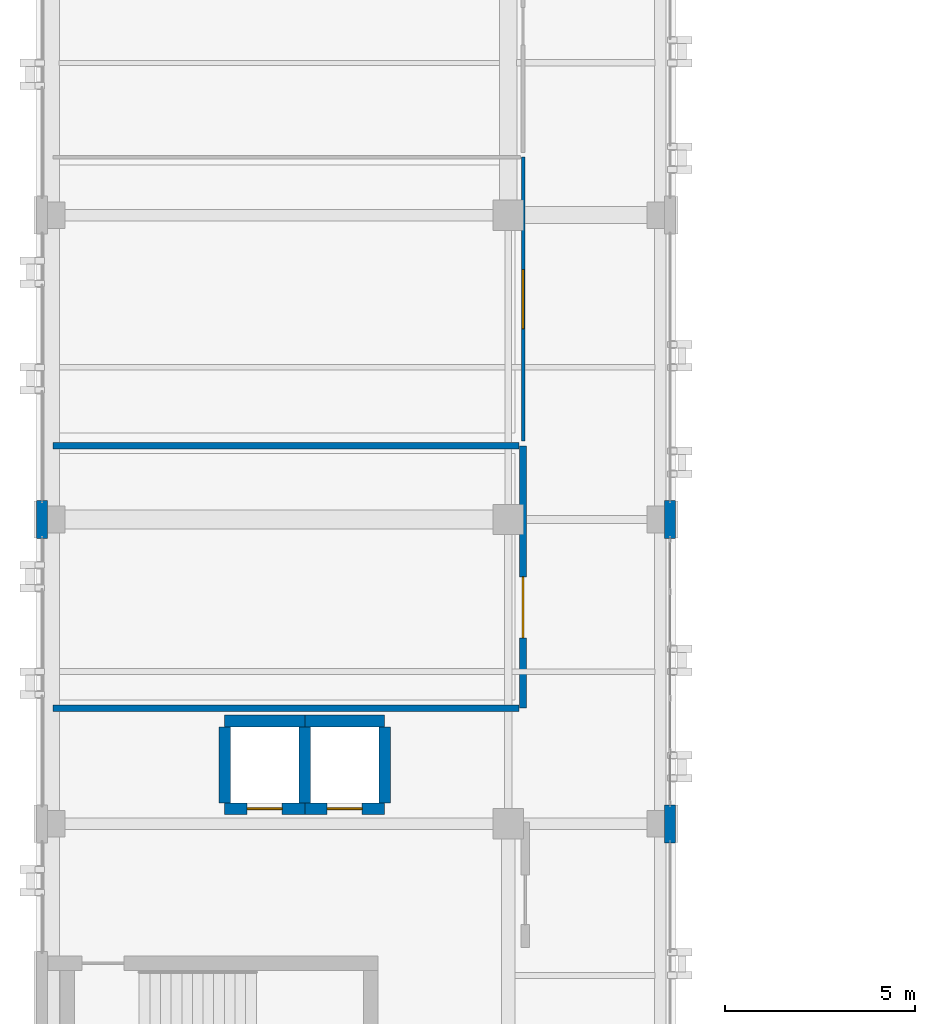
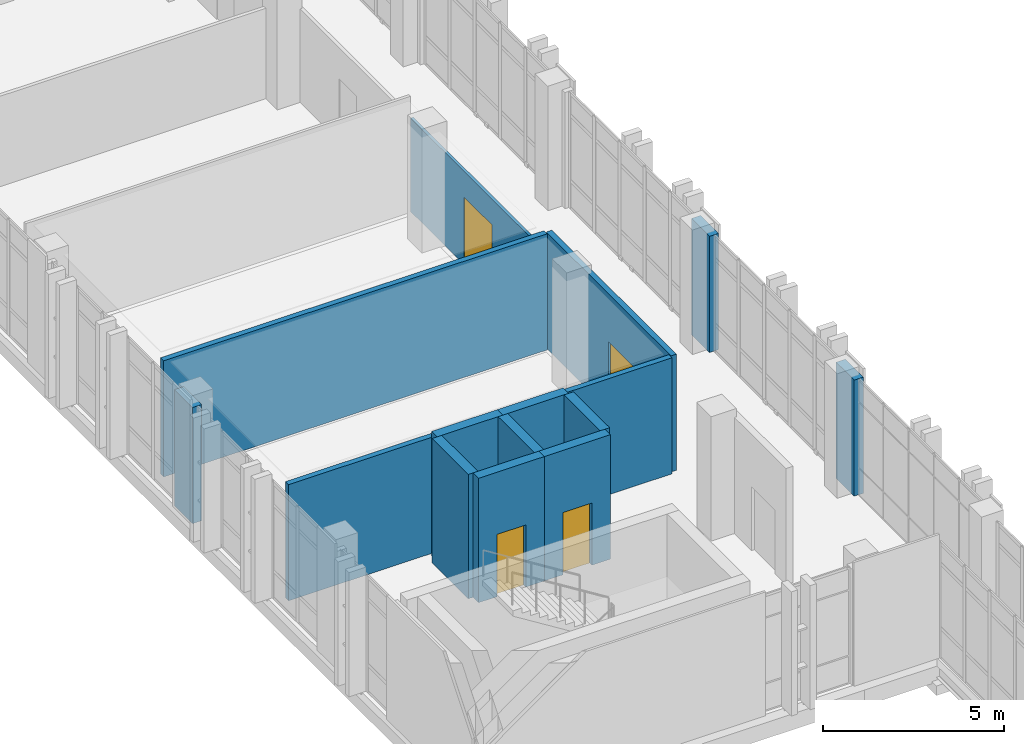
# One storey, part 134 of 165: 14 walls, 4 doors, 4 openings.
"""IFC4 building model written with IfcOpenShell, lengths in metres."""

from ifc_helpers import new_model, si_unit, direction, frame, frame_2d, origin, place, context, subcontext, project, spatial, rectangle, extrude, material, layer, layer_set, type_object, element, fill, save


model = new_model("IFC4")

# Units and contexts
model_context = context("Model", 3, precision=1e-05, world=origin(), true_north=direction((0.0, 1.0)))
body_context = subcontext(model_context, "Body", "Model", "MODEL_VIEW")
ifc_project = project(units=[si_unit("LENGTHUNIT", "METRE"), si_unit("AREAUNIT", "SQUARE_METRE"), si_unit("VOLUMEUNIT", "CUBIC_METRE"), si_unit("PLANEANGLEUNIT", "RADIAN"), si_unit("MASSUNIT", "GRAM", prefix="KILO")], contexts=[model_context])

# Site, building, storey
site_placement = place(None, origin())
site = spatial("IfcSite", under=ifc_project, at=site_placement, CompositionType="ELEMENT")
building_placement = place(site_placement, origin())
building = spatial("IfcBuilding", under=site, at=building_placement, Name="Qalavern Law Courts", CompositionType="ELEMENT")
storey_placement = place(building_placement, frame((0.0, 0.0, 14.39990234375)))
storey = spatial("IfcBuildingStorey", under=building, at=storey_placement, Name="L03", CompositionType="ELEMENT", Elevation=14.39990234375)

# Walls
ifc_material_1 = material(Name="Concrete C40/50", Category="concrete")
ifc_layer_1 = layer(ifc_material_1, 0.294921875)
ifc_layer_set_1 = layer_set([ifc_layer_1], Name="Concrete C40/50")
wall_type_1 = type_object("IfcWallType", Name="ENV-EW-295", PredefinedType="SOLIDWALL", material=ifc_layer_set_1)
for number, where, z_axis, x_axis, name in (
    (1, (18.652587890625, 48.89990234375, 0.0), (0.0, 0.0, 1.0), (0.0, 1.0, 0.0), "V3 exterior pier wall L03 east 2"),
    (2, (18.652587890625, 56.89990234375, 0.0), (0.0, 0.0, 1.0), (0.0, 1.0, 0.0), "V3 exterior pier wall L03 east 3"),
    (3, (2.1474609375, 57.89990234375, 0.0), (0.0, 0.0, 1.0), (0.0, -1.0, 0.0), "V3 exterior pier wall L03 west 6"),
):
    element("IfcWall", number, at=place(storey_placement, frame(where, z_axis=z_axis, x_axis=x_axis)), inside=storey, type_object=wall_type_1, Name=name, PredefinedType="SOLIDWALL", context=body_context, shape_type="SweptSolid", body=[
        extrude(rectangle(XDim=1.0, YDim=0.294921875, at=frame_2d((0.5, 0.0))), origin(), (0.0, 0.0, 1.0), 3.920166015625),
    ])

# Wall, opening, door
ifc_material_2 = material(Name="Gypsum shaft/chase partition")
ifc_layer_2 = layer(ifc_material_2, 0.092041015625)
ifc_layer_set_2 = layer_set([ifc_layer_2], Name="Gypsum shaft/chase partition")
wall_type_2 = type_object("IfcWallType", Name="INT-PW-092", PredefinedType="PARTITIONING", material=ifc_layer_set_2)
wall_1_placement = place(storey_placement, frame((14.7900390625, 59.4580078125, 0.0), z_axis=(0.0, 0.0, 1.0), x_axis=(0.0, 1.0, 0.0)))
wall_1 = element("IfcWall", 4, at=wall_1_placement, inside=storey, type_object=wall_type_2, Name="Administrative Courtroom corridor partition L03", PredefinedType="PARTITIONING", context=body_context, shape_type="SweptSolid", body=[
    extrude(rectangle(XDim=7.466064453125, YDim=0.092041015625, at=frame_2d((3.73291015625, 0.0))), origin(), (0.0, 0.0, 1.0), 3.150146484375),
])
opening_1_placement = place(wall_1_placement, frame((2.9580078125, 0.0, 0.0)))
opening_1 = element("IfcOpeningElement", 5, at=opening_1_placement, cuts=wall_1, Name="Opening L03-D223", PredefinedType="OPENING", context=body_context, shape_type="SweptSolid", body=[
    extrude(rectangle(XDim=1.550048828125, YDim=2.280029296875, at=frame_2d((0.77490234375, 1.14013671875))), frame((0.0, 0.06103515625, 0.0), z_axis=(0.0, -1.0, 0.0), x_axis=(1.0, 0.0, 0.0)), (0.0, 0.0, 1.0), 0.121826171875),
])
ifc_material_3 = material(Name="Acoustic oak double Civil Courtroom door")
door_type_1 = type_object("IfcDoorType", Name="INT-ID-1550x2280", OperationType="DOUBLE_DOOR_SINGLE_SWING", PredefinedType="DOOR", material=ifc_material_3)
door_1_placement = place(opening_1_placement, frame((1.550048828125, 0.0, 0.0), z_axis=(0.0, 0.0, 1.0), x_axis=(-1.0, 0.0, 0.0)))
door_1 = element("IfcDoor", 6, at=door_1_placement, inside=storey, type_object=door_type_1, Name="Administrative Courtroom door L03", OperationType="DOUBLE_DOOR_SINGLE_SWING", OverallHeight=2.280029296875, OverallWidth=1.550048828125, PredefinedType="DOOR", context=body_context, shape_type="SweptSolid", body=[
    extrude(rectangle(XDim=1.550048828125, YDim=2.280029296875, at=frame_2d((0.77490234375, 1.14013671875))), frame((0.0, 0.02490234375, 0.0), z_axis=(0.0, -1.0, 0.0), x_axis=(1.0, 0.0, 0.0)), (0.0, 0.0, 1.0), 0.050048828125),
])
fill(opening_1, door_1)

ifc_material_4 = material(Name="Gypsum acoustic stud partition")
ifc_layer_3 = layer(ifc_material_4, 0.174072265625)
ifc_layer_set_3 = layer_set([ifc_layer_3], Name="Gypsum acoustic stud partition")
wall_type_3 = type_object("IfcWallType", Name="INT-PW-174", PredefinedType="PARTITIONING", material=ifc_layer_set_3)
wall_2_placement = place(storey_placement, frame((14.7900390625, 52.43994140625, 0.0), z_axis=(0.0, 0.0, 1.0), x_axis=(0.0, 1.0, 0.0)))
wall_2 = element("IfcWall", 7, at=wall_2_placement, inside=storey, type_object=wall_type_3, Name="Criminal Courtroom corridor partition L03", PredefinedType="PARTITIONING", context=body_context, shape_type="SweptSolid", body=[
    extrude(rectangle(XDim=6.89794921875, YDim=0.174072265625, at=frame_2d((3.448974609375, 0.0))), origin(), (0.0, 0.0, 1.0), 3.920166015625),
])
opening_2_placement = place(wall_2_placement, frame((1.84912109375, 0.0, 0.0)))
opening_2 = element("IfcOpeningElement", 8, at=opening_2_placement, cuts=wall_2, Name="Opening L03-D222", PredefinedType="OPENING", context=body_context, shape_type="SweptSolid", body=[
    extrude(rectangle(XDim=1.60009765625, YDim=2.300048828125, at=frame_2d((0.800048828125, 1.14990234375))), frame((0.0, 0.10205078125, 0.0), z_axis=(0.0, -1.0, 0.0), x_axis=(1.0, 0.0, 0.0)), (0.0, 0.0, 1.0), 0.203857421875),
])
ifc_material_5 = material(Name="Acoustic oak double Criminal Courtroom door")
door_type_2 = type_object("IfcDoorType", Name="INT-ID-1600x2300", OperationType="DOUBLE_DOOR_SINGLE_SWING", PredefinedType="DOOR", material=ifc_material_5)
door_2_placement = place(opening_2_placement, frame((1.60009765625, 0.0, 0.0), z_axis=(0.0, 0.0, 1.0), x_axis=(-1.0, 0.0, 0.0)))
door_2 = element("IfcDoor", 9, at=door_2_placement, inside=storey, type_object=door_type_2, Name="Criminal Courtroom door L03", OperationType="DOUBLE_DOOR_SINGLE_SWING", OverallHeight=2.300048828125, OverallWidth=1.60009765625, PredefinedType="DOOR", context=body_context, shape_type="SweptSolid", body=[
    extrude(rectangle(XDim=1.60009765625, YDim=2.300048828125, at=frame_2d((0.800048828125, 1.14990234375))), frame((0.0, 0.02490234375, 0.0), z_axis=(0.0, -1.0, 0.0), x_axis=(1.0, 0.0, 0.0)), (0.0, 0.0, 1.0), 0.050048828125),
])
fill(opening_2, door_2)

# Walls
for number, where, z_axis, x_axis, name in (
    (10, (2.43994140625, 52.43994140625, 0.0), (0.0, 0.0, 1.0), (1.0, 0.0, 0.0), "Criminal Courtroom cross partition L03 south"),
    (11, (2.43994140625, 59.337890625, 0.0), (0.0, 0.0, 1.0), (1.0, 0.0, 0.0), "Criminal Courtroom cross partition L03 north"),
):
    element("IfcWall", number, at=place(storey_placement, frame(where, z_axis=z_axis, x_axis=x_axis)), inside=storey, type_object=wall_type_3, Name=name, PredefinedType="PARTITIONING", context=body_context, shape_type="SweptSolid", body=[
        extrude(rectangle(XDim=12.2431640625, YDim=0.174072265625, at=frame_2d((6.12158203125, 0.0))), origin(), (0.0, 0.0, 1.0), 3.920166015625),
    ])

# Wall, opening, door
ifc_material_6 = material(Name="Concrete C45/55", Category="concrete")
ifc_layer_4 = layer(ifc_material_6, 0.304931640625)
ifc_layer_set_4 = layer_set([ifc_layer_4], Name="Concrete C45/55")
wall_type_4 = type_object("IfcWallType", Name="INT-SW-305", PredefinedType="SHEAR", material=ifc_layer_set_4)
wall_3_placement = place(storey_placement, frame((6.947509765625, 49.797607421875, 0.0), z_axis=(0.0, 0.0, 1.0), x_axis=(1.0, 0.0, 0.0)))
wall_3 = element("IfcWall", 12, at=wall_3_placement, inside=storey, type_object=wall_type_4, Name="Lift LF-C1 shaft wall L03 south", PredefinedType="SHEAR", context=body_context, shape_type="SweptSolid", body=[
    extrude(rectangle(XDim=2.10498046875, YDim=0.304931640625, at=frame_2d((1.052490234375, 0.0))), origin(), (0.0, 0.0, 1.0), 4.2001953125),
])
opening_3_placement = place(wall_3_placement, frame((0.592529296875, 0.0, 0.0)))
opening_3 = element("IfcOpeningElement", 13, at=opening_3_placement, cuts=wall_3, Name="Opening LD-LF-C1-L03", PredefinedType="OPENING", context=body_context, shape_type="SweptSolid", body=[
    extrude(rectangle(XDim=0.919921875, YDim=2.10009765625, at=frame_2d((0.4599609375, 1.050048828125))), frame((0.0, 0.16748046875, 0.0), z_axis=(0.0, -1.0, 0.0), x_axis=(1.0, 0.0, 0.0)), (0.0, 0.0, 1.0), 0.334716796875),
])
ifc_material_7 = material(Name="Heavy-gauge steel custody lift sliding landing door", Category="steel")
door_type_3 = type_object("IfcDoorType", Name="INT-LD-920x2100", OperationType="SLIDING_TO_LEFT", PredefinedType="DOOR", material=ifc_material_7)
door_3_placement = place(opening_3_placement, origin())
door_3 = element("IfcDoor", 14, at=door_3_placement, inside=storey, type_object=door_type_3, Name="Lift LF-C1 sliding landing door L03", OperationType="SLIDING_TO_LEFT", OverallHeight=2.10009765625, OverallWidth=0.919921875, PredefinedType="DOOR", context=body_context, shape_type="SweptSolid", body=[
    extrude(rectangle(XDim=0.919921875, YDim=2.10009765625, at=frame_2d((0.4599609375, 1.050048828125))), frame((0.0, 0.02490234375, 0.0), z_axis=(0.0, -1.0, 0.0), x_axis=(1.0, 0.0, 0.0)), (0.0, 0.0, 1.0), 0.050048828125),
])
fill(opening_3, door_3)

# Walls
wall_4_placement = place(storey_placement, frame((9.052490234375, 49.949951171875, 0.0), z_axis=(0.0, 0.0, 1.0), x_axis=(0.0, 1.0, 0.0)))
element("IfcWall", 15, at=wall_4_placement, inside=storey, type_object=wall_type_4, Name="Lift LF-C1 shaft wall L03 east", PredefinedType="SHEAR", context=body_context, shape_type="SweptSolid", body=[
    extrude(rectangle(XDim=2.0, YDim=0.304931640625, at=frame_2d((1.0, 0.0))), origin(), (0.0, 0.0, 1.0), 4.2001953125),
])
wall_5_placement = place(storey_placement, frame((9.052490234375, 52.1025390625, 0.0), z_axis=(0.0, 0.0, 1.0), x_axis=(-1.0, 0.0, 0.0)))
element("IfcWall", 16, at=wall_5_placement, inside=storey, type_object=wall_type_4, Name="Lift LF-C1 shaft wall L03 north", PredefinedType="SHEAR", context=body_context, shape_type="SweptSolid", body=[
    extrude(rectangle(XDim=2.10498046875, YDim=0.304931640625, at=frame_2d((1.052490234375, 0.0))), origin(), (0.0, 0.0, 1.0), 4.2001953125),
])
wall_6_placement = place(storey_placement, frame((6.947509765625, 51.949951171875, 0.0), z_axis=(0.0, 0.0, 1.0), x_axis=(0.0, -1.0, 0.0)))
element("IfcWall", 17, at=wall_6_placement, inside=storey, type_object=wall_type_4, Name="Lift LF-C1 shaft wall L03 west", PredefinedType="SHEAR", context=body_context, shape_type="SweptSolid", body=[
    extrude(rectangle(XDim=2.0, YDim=0.304931640625, at=frame_2d((1.0, 0.0))), origin(), (0.0, 0.0, 1.0), 4.2001953125),
])

# Wall, opening, door
wall_7_placement = place(storey_placement, frame((9.047607421875, 49.797607421875, 0.0), z_axis=(0.0, 0.0, 1.0), x_axis=(1.0, 0.0, 0.0)))
wall_7 = element("IfcWall", 18, at=wall_7_placement, inside=storey, type_object=wall_type_4, Name="Lift LF-C2 shaft wall L03 south", PredefinedType="SHEAR", context=body_context, shape_type="SweptSolid", body=[
    extrude(rectangle(XDim=2.10498046875, YDim=0.304931640625, at=frame_2d((1.052490234375, 0.0))), origin(), (0.0, 0.0, 1.0), 4.2001953125),
])
opening_4_placement = place(wall_7_placement, frame((0.592529296875, 0.0, 0.0)))
opening_4 = element("IfcOpeningElement", 19, at=opening_4_placement, cuts=wall_7, Name="Opening LD-LF-C2-L03", PredefinedType="OPENING", context=body_context, shape_type="SweptSolid", body=[
    extrude(rectangle(XDim=0.919921875, YDim=2.10009765625, at=frame_2d((0.4599609375, 1.050048828125))), frame((0.0, 0.16748046875, 0.0), z_axis=(0.0, -1.0, 0.0), x_axis=(1.0, 0.0, 0.0)), (0.0, 0.0, 1.0), 0.334716796875),
])
door_4_placement = place(opening_4_placement, origin())
door_4 = element("IfcDoor", 20, at=door_4_placement, inside=storey, type_object=door_type_3, Name="Lift LF-C2 sliding landing door L03", OperationType="SLIDING_TO_LEFT", OverallHeight=2.10009765625, OverallWidth=0.919921875, PredefinedType="DOOR", context=body_context, shape_type="SweptSolid", body=[
    extrude(rectangle(XDim=0.919921875, YDim=2.10009765625, at=frame_2d((0.4599609375, 1.050048828125))), frame((0.0, 0.02490234375, 0.0), z_axis=(0.0, -1.0, 0.0), x_axis=(1.0, 0.0, 0.0)), (0.0, 0.0, 1.0), 0.050048828125),
])
fill(opening_4, door_4)

# Walls
wall_8_placement = place(storey_placement, frame((11.152587890625, 49.949951171875, 0.0), z_axis=(0.0, 0.0, 1.0), x_axis=(0.0, 1.0, 0.0)))
element("IfcWall", 21, at=wall_8_placement, inside=storey, type_object=wall_type_4, Name="Lift LF-C2 shaft wall L03 east", PredefinedType="SHEAR", context=body_context, shape_type="SweptSolid", body=[
    extrude(rectangle(XDim=2.0, YDim=0.304931640625, at=frame_2d((1.0, 0.0))), origin(), (0.0, 0.0, 1.0), 4.2001953125),
])
wall_9_placement = place(storey_placement, frame((11.152587890625, 52.1025390625, 0.0), z_axis=(0.0, 0.0, 1.0), x_axis=(-1.0, 0.0, 0.0)))
element("IfcWall", 22, at=wall_9_placement, inside=storey, type_object=wall_type_4, Name="Lift LF-C2 shaft wall L03 north", PredefinedType="SHEAR", context=body_context, shape_type="SweptSolid", body=[
    extrude(rectangle(XDim=2.10498046875, YDim=0.304931640625, at=frame_2d((1.052490234375, 0.0))), origin(), (0.0, 0.0, 1.0), 4.2001953125),
])

save(model, "model.ifc")
